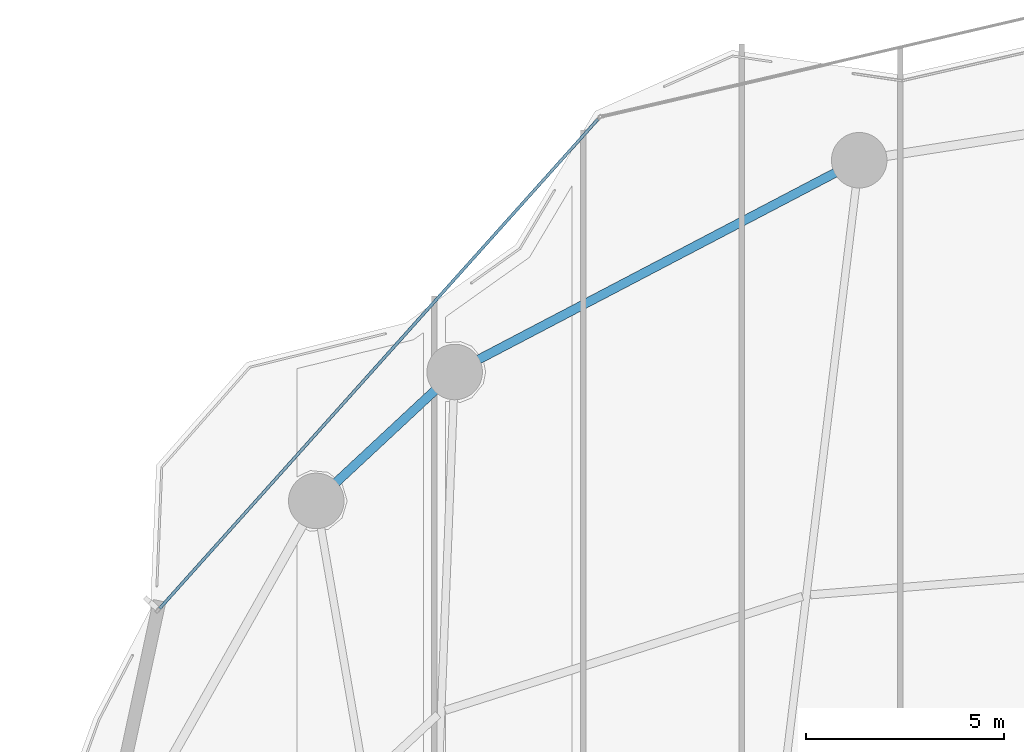
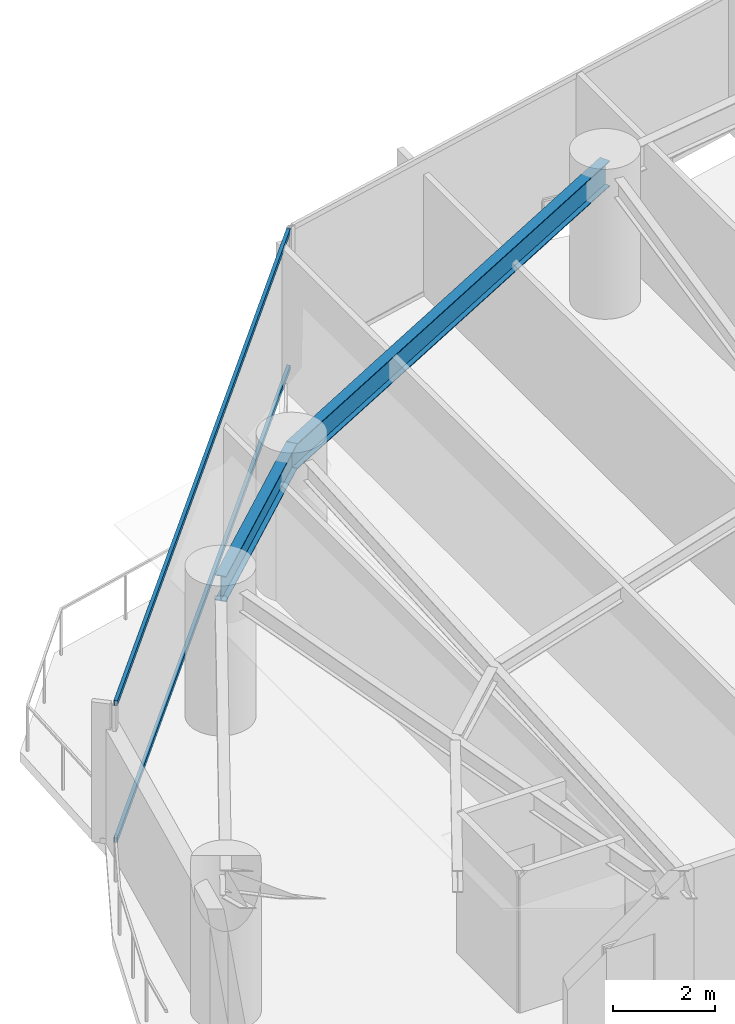
# One storey, part 18 of 31: 2 beams, 2 members, 1 element without a shape of its own.
"""IFC4 building model written with IfcOpenShell, lengths in metres."""

from ifc_helpers import new_model, si_unit, direction, frame, origin, origin_2d, place, context, subcontext, project, spatial, hollow_rectangle, i_section, extrude, material, layer, layer_set, material_profile, profile_set, type_object, element, aggregate, save


model = new_model("IFC4")

# Units and contexts
model_context = context("Model", 3, precision=1e-05, world=origin(), true_north=direction((0.0, 1.0)))
body_context = subcontext(model_context, "Body", "Model", "MODEL_VIEW")
ifc_project = project(units=[si_unit("LENGTHUNIT", "METRE"), si_unit("AREAUNIT", "SQUARE_METRE"), si_unit("VOLUMEUNIT", "CUBIC_METRE"), si_unit("PLANEANGLEUNIT", "RADIAN"), si_unit("MASSUNIT", "GRAM", prefix="KILO")], contexts=[model_context])

# Site, building, storey
site_placement = place(None, origin())
site = spatial("IfcSite", under=ifc_project, at=site_placement, CompositionType="ELEMENT")
building_placement = place(site_placement, origin())
building = spatial("IfcBuilding", under=site, at=building_placement, Name="Kazevale Care Tower and Concert Hall", CompositionType="ELEMENT")
storey_placement = place(building_placement, frame((0.0, 0.0, 81.60009765625)))
storey = spatial("IfcBuildingStorey", under=building, at=storey_placement, Name="L21", CompositionType="ELEMENT", Elevation=81.60009765625)

# Curtain wall, members
ifc_material_1 = material(Name="Aluminium 6063-T6 and Low-E Glass", Category="aluminium")
ifc_layer = layer(ifc_material_1, 0.179931640625)
ifc_layer_set = layer_set([ifc_layer], Name="Aluminium 6063-T6 and Low-E Glass")
curtain_wall_type = type_object("IfcCurtainWallType", Name="Convex Checkerboard Finned Curtain Wall CW-2", PredefinedType="NOTDEFINED", material=ifc_layer_set)
curtain_wall_placement = place(storey_placement, origin())
curtain_wall = element("IfcCurtainWall", 1, at=curtain_wall_placement, inside=storey, type_object=curtain_wall_type, Name="cw:L21:f14", PredefinedType="NOTDEFINED")
ifc_material_2 = material(Name="Aluminium 6063-T6", Category="aluminium")
ifc_material_profile_1 = material_profile(ifc_material_2, hollow_rectangle(XDim=0.074951171875, YDim=0.1201171875, WallThickness=0.00390625, at=origin_2d()), Name="ALU75x120x4")
ifc_profile_set_1 = profile_set([ifc_material_profile_1], Name="Aluminium 6063-T6")
member_type = type_object("IfcMemberType", Name="CW-2 Transom ALU75x120x4", PredefinedType="USERDEFINED", material=ifc_profile_set_1)
member_1_placement = place(storey_placement, frame((15.3193359375, 49.466552734375, 0.037353515625), z_axis=(0.667262631636, 0.744822516055, 0.0), x_axis=(-0.744822516055, 0.667262631636, 0.0)))
member_1 = element("IfcMember", 2, at=member_1_placement, type_object=member_type, Name="CW-2 transom 1.1", ObjectType="TRANSOM", PredefinedType="USERDEFINED", context=body_context, shape_type="SweptSolid", body=[
    extrude(hollow_rectangle(XDim=0.074951171875, YDim=0.1201171875, WallThickness=0.00390625, at=origin_2d()), origin(), (0.0, 0.0, 1.0), 16.5634765625),
])
member_2_placement = place(storey_placement, frame((15.3193359375, 49.466552734375, 3.322509765625), z_axis=(0.667262631636, 0.744822516055, 0.0), x_axis=(-0.744822516055, 0.667262631636, 0.0)))
member_2 = element("IfcMember", 3, at=member_2_placement, type_object=member_type, Name="CW-2 transom 1.2", ObjectType="TRANSOM", PredefinedType="USERDEFINED", context=body_context, shape_type="SweptSolid", body=[
    extrude(hollow_rectangle(XDim=0.074951171875, YDim=0.1201171875, WallThickness=0.00390625, at=origin_2d()), origin(), (0.0, 0.0, 1.0), 16.5634765625),
])
aggregate(curtain_wall, [member_1, member_2])

# Beams
ifc_material_3 = material(Name="Steel ASTM A572 Gr 50", Category="steel")
ifc_material_profile_2 = material_profile(ifc_material_3, i_section(OverallWidth=0.22900390625, OverallDepth=0.612060546875, WebThickness=0.011962890625, FlangeThickness=0.01953125, at=origin_2d()), Name="W610x125")
ifc_profile_set_2 = profile_set([ifc_material_profile_2], Name="Steel ASTM A572 Gr 50")
beam_type = type_object("IfcBeamType", Name="Ring Spandrel Beam W610x125", PredefinedType="SPANDREL", material=ifc_profile_set_2)
beam_1_placement = place(storey_placement, frame((32.9599609375, 60.77001953125, 3.053955078125), z_axis=(-0.885929466679, -0.463819986708, 0.0), x_axis=(0.463819986708, -0.885929466679, 0.0)))
element("IfcBeam", 4, at=beam_1_placement, inside=storey, type_object=beam_type, Name="beam:L21:ring:06", PredefinedType="SPANDREL", context=body_context, shape_type="SweptSolid", body=[
    extrude(i_section(OverallWidth=0.22900390625, OverallDepth=0.612060546875, WebThickness=0.011962890625, FlangeThickness=0.01953125, at=origin_2d()), origin(), (0.0, 0.0, 1.0), 11.51318359375),
])
beam_2_placement = place(storey_placement, frame((22.760009765625, 55.429931640625, 3.053955078125), z_axis=(-0.731820896228, -0.681497010884, 0.0), x_axis=(0.681497010884, -0.731820896228, 0.0)))
element("IfcBeam", 5, at=beam_2_placement, inside=storey, type_object=beam_type, Name="beam:L21:ring:07", PredefinedType="SPANDREL", context=body_context, shape_type="SweptSolid", body=[
    extrude(i_section(OverallWidth=0.22900390625, OverallDepth=0.612060546875, WebThickness=0.011962890625, FlangeThickness=0.01953125, at=origin_2d()), origin(), (0.0, 0.0, 1.0), 4.768798828125),
])

save(model, "model.ifc")
